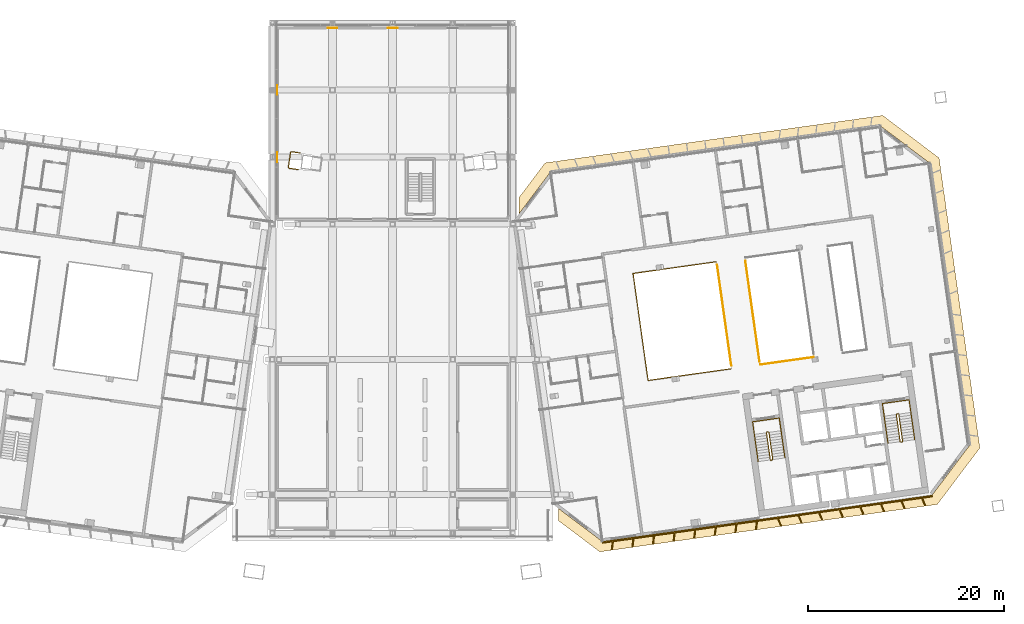
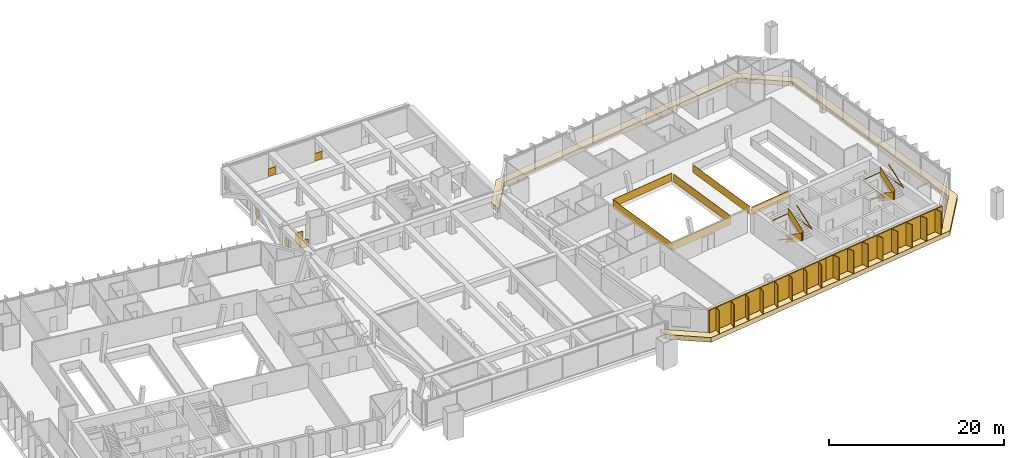
# One storey, part 24 of 25: 13 railings, 2 shading devices, 1 covering.
"""IFC4 building model written with IfcOpenShell, lengths in metres."""

from ifc_helpers import new_model, si_unit, direction, frame, origin, origin_2d, place, context, subcontext, project, spatial, polyline, rectangle, outline, extrude, material, layer, layer_set, type_object, element, save


model = new_model("IFC4")

# Units and contexts
model_context = context("Model", 3, precision=1e-05, world=origin(), true_north=direction((0.0, 1.0)))
body_context = subcontext(model_context, "Body", "Model", "MODEL_VIEW")
ifc_project = project(units=[si_unit("LENGTHUNIT", "METRE"), si_unit("AREAUNIT", "SQUARE_METRE"), si_unit("VOLUMEUNIT", "CUBIC_METRE"), si_unit("PLANEANGLEUNIT", "RADIAN"), si_unit("MASSUNIT", "GRAM", prefix="KILO")], contexts=[model_context])

# Site, building, storey
site_placement = place(None, origin())
site = spatial("IfcSite", under=ifc_project, at=site_placement, CompositionType="ELEMENT")
building_placement = place(site_placement, origin())
building = spatial("IfcBuilding", under=site, at=building_placement, Name="Mirante Cascada Hotel Towers", CompositionType="ELEMENT")
storey_placement = place(building_placement, frame((0.0, 0.0, 266.0)))
storey = spatial("IfcBuildingStorey", under=building, at=storey_placement, Name="L64", CompositionType="ELEMENT", Elevation=266.0)

# Railings
ifc_material_1 = material(Name="Toughened glass with stainless steel handrail", Category="steel")
railing_type_1 = type_object("IfcRailingType", Name="Atrium guard 1100 glass balustrade", PredefinedType="GUARDRAIL", material=ifc_material_1)
railing_1_placement = place(storey_placement, frame((32.9602, 6.0907, 0.0)))
element("IfcRailing", 1, at=railing_1_placement, inside=storey, type_object=railing_type_1, Name="GUARD 2-L64-1", PredefinedType="GUARDRAIL", context=body_context, shape_type="SweptSolid", body=[
    extrude(rectangle(XDim=0.048, YDim=0.048, at=origin_2d()), frame((0.0, 0.0, 1.076), z_axis=(-0.990269, -0.1391666, 0.0), x_axis=(0.1391666, -0.990269, 0.0)), (0.0, 0.0, 1.0), 8.5574),
    extrude(rectangle(XDim=0.02, YDim=1.052, at=origin_2d()), frame((0.0, 0.0, 0.526), z_axis=(-0.990269, -0.1391666, 0.0), x_axis=(0.1391666, -0.990269, 0.0)), (0.0, 0.0, 1.0), 8.5574),
    extrude(rectangle(XDim=0.048, YDim=0.048, at=origin_2d()), frame((-8.4741, -1.1909, 1.076), z_axis=(0.1391721, -0.9902682, 0.0), x_axis=(0.9902682, 0.1391721, 0.0)), (0.0, 0.0, 1.0), 11.0001),
    extrude(rectangle(XDim=0.02, YDim=1.052, at=origin_2d()), frame((-8.4741, -1.1909, 0.526), z_axis=(0.1391721, -0.9902682, 0.0), x_axis=(0.9902682, 0.1391721, 0.0)), (0.0, 0.0, 1.0), 11.0001),
    extrude(rectangle(XDim=0.048, YDim=0.048, at=origin_2d()), frame((-6.9432, -12.0839, 1.076), z_axis=(0.9902674, 0.139178, 0.0), x_axis=(-0.139178, 0.9902674, 0.0)), (0.0, 0.0, 1.0), 8.5574),
    extrude(rectangle(XDim=0.02, YDim=1.052, at=origin_2d()), frame((-6.9432, -12.0839, 0.526), z_axis=(0.9902674, 0.139178, 0.0), x_axis=(-0.139178, 0.9902674, 0.0)), (0.0, 0.0, 1.0), 8.5574),
])
railing_2_placement = place(storey_placement, frame((37.4619, -4.3847, 0.0)))
element("IfcRailing", 2, at=railing_2_placement, inside=storey, type_object=railing_type_1, Name="GUARD 2-L64-2", PredefinedType="GUARDRAIL", context=body_context, shape_type="SweptSolid", body=[
    extrude(rectangle(XDim=0.048, YDim=0.048, at=origin_2d()), frame((0.0, 0.0, 1.076), z_axis=(0.9902697, 0.1391616, 0.0), x_axis=(-0.1391616, 0.9902697, 0.0)), (0.0, 0.0, 1.0), 5.4713),
    extrude(rectangle(XDim=0.02, YDim=1.052, at=origin_2d()), frame((0.0, 0.0, 0.526), z_axis=(0.9902697, 0.1391616, 0.0), x_axis=(-0.1391616, 0.9902697, 0.0)), (0.0, 0.0, 1.0), 5.4713),
])
railing_3_placement = place(storey_placement, frame((34.4985, -4.5026, 0.0)))
element("IfcRailing", 3, at=railing_3_placement, inside=storey, type_object=railing_type_1, Name="GUARD 2-L64-5", PredefinedType="GUARDRAIL", context=body_context, shape_type="SweptSolid", body=[
    extrude(rectangle(XDim=0.048, YDim=0.048, at=origin_2d()), frame((0.0, 0.0, 1.076), z_axis=(-0.1391721, 0.9902682, 0.0), x_axis=(-0.9902682, -0.1391721, 0.0)), (0.0, 0.0, 1.0), 10.4087),
    extrude(rectangle(XDim=0.02, YDim=1.052, at=origin_2d()), frame((0.0, 0.0, 0.526), z_axis=(-0.1391721, 0.9902682, 0.0), x_axis=(-0.9902682, -0.1391721, 0.0)), (0.0, 0.0, 1.0), 10.4087),
])
railing_4_placement = place(storey_placement, frame((35.9236, 6.2086, 0.0)))
element("IfcRailing", 4, at=railing_4_placement, inside=storey, type_object=railing_type_1, Name="GUARD 2-L64-6", PredefinedType="GUARDRAIL", context=body_context, shape_type="SweptSolid", body=[
    extrude(rectangle(XDim=0.048, YDim=0.048, at=origin_2d()), frame((0.0, 0.0, 1.076), z_axis=(0.1391721, -0.9902682, 0.0), x_axis=(0.9902682, 0.1391721, 0.0)), (0.0, 0.0, 1.0), 10.4087),
    extrude(rectangle(XDim=0.02, YDim=1.052, at=origin_2d()), frame((0.0, 0.0, 0.526), z_axis=(0.1391721, -0.9902682, 0.0), x_axis=(0.9902682, 0.1391721, 0.0)), (0.0, 0.0, 1.0), 10.4087),
])
ifc_material_2 = material(Name="Toughened glass", Category="glass")
railing_type_2 = type_object("IfcRailingType", Name="Deck column opening guard 1100 glass balustrade", PredefinedType="GUARDRAIL", material=ifc_material_2)
railing_5_placement = place(storey_placement, frame((-9.3912, 17.1683, 0.0)))
element("IfcRailing", 5, at=railing_5_placement, inside=storey, type_object=railing_type_2, Name="Column opening guard L64 1", PredefinedType="GUARDRAIL", context=body_context, shape_type="SweptSolid", body=[
    extrude(rectangle(XDim=0.048, YDim=0.048, at=origin_2d()), frame((0.0, 0.0, 1.076), z_axis=(-0.9902531, 0.1392799, 0.0), x_axis=(-0.1392799, -0.9902531, 0.0)), (0.0, 0.0, 1.0), 0.8565),
    extrude(rectangle(XDim=0.02, YDim=1.052, at=origin_2d()), frame((0.0, 0.0, 0.526), z_axis=(-0.9902531, 0.1392799, 0.0), x_axis=(-0.1392799, -0.9902531, 0.0)), (0.0, 0.0, 1.0), 0.8565),
    extrude(rectangle(XDim=0.048, YDim=0.048, at=origin_2d()), frame((-0.8482, 0.1193, 1.076), z_axis=(-0.9960142, 0.0891953, 0.0), x_axis=(-0.0891953, -0.9960142, 0.0)), (0.0, 0.0, 1.0), 0.0135),
    extrude(rectangle(XDim=0.02, YDim=1.052, at=origin_2d()), frame((-0.8482, 0.1193, 0.526), z_axis=(-0.9960142, 0.0891953, 0.0), x_axis=(-0.0891953, -0.9960142, 0.0)), (0.0, 0.0, 1.0), 0.0135),
    extrude(rectangle(XDim=0.048, YDim=0.048, at=origin_2d()), frame((-0.8616, 0.1205, 1.076), z_axis=(-0.9999772, -0.0067566, 0.0), x_axis=(0.0067566, -0.9999772, 0.0)), (0.0, 0.0, 1.0), 0.0148),
    extrude(rectangle(XDim=0.02, YDim=1.052, at=origin_2d()), frame((-0.8616, 0.1205, 0.526), z_axis=(-0.9999772, -0.0067566, 0.0), x_axis=(0.0067566, -0.9999772, 0.0)), (0.0, 0.0, 1.0), 0.0148),
    extrude(rectangle(XDim=0.048, YDim=0.048, at=origin_2d()), frame((-0.8764, 0.1204, 1.076), z_axis=(-0.9940487, -0.1089368, 0.0), x_axis=(0.1089368, -0.9940487, 0.0)), (0.0, 0.0, 1.0), 0.0147),
    extrude(rectangle(XDim=0.02, YDim=1.052, at=origin_2d()), frame((-0.8764, 0.1204, 0.526), z_axis=(-0.9940487, -0.1089368, 0.0), x_axis=(0.1089368, -0.9940487, 0.0)), (0.0, 0.0, 1.0), 0.0147),
    extrude(rectangle(XDim=0.048, YDim=0.048, at=origin_2d()), frame((-0.891, 0.1188, 1.076), z_axis=(-0.9789804, -0.2039543, 0.0), x_axis=(0.2039543, -0.9789804, 0.0)), (0.0, 0.0, 1.0), 0.0147),
    extrude(rectangle(XDim=0.02, YDim=1.052, at=origin_2d()), frame((-0.891, 0.1188, 0.526), z_axis=(-0.9789804, -0.2039543, 0.0), x_axis=(0.2039543, -0.9789804, 0.0)), (0.0, 0.0, 1.0), 0.0147),
    extrude(rectangle(XDim=0.048, YDim=0.048, at=origin_2d()), frame((-0.9054, 0.1158, 1.076), z_axis=(-0.9546004, -0.2978895, 0.0), x_axis=(0.2978895, -0.9546004, 0.0)), (0.0, 0.0, 1.0), 0.0148),
    extrude(rectangle(XDim=0.02, YDim=1.052, at=origin_2d()), frame((-0.9054, 0.1158, 0.526), z_axis=(-0.9546004, -0.2978895, 0.0), x_axis=(0.2978895, -0.9546004, 0.0)), (0.0, 0.0, 1.0), 0.0148),
    extrude(rectangle(XDim=0.048, YDim=0.048, at=origin_2d()), frame((-0.9195, 0.1114, 1.076), z_axis=(-0.9212496, -0.388972, 0.0), x_axis=(0.388972, -0.9212496, 0.0)), (0.0, 0.0, 1.0), 0.0147),
    extrude(rectangle(XDim=0.02, YDim=1.052, at=origin_2d()), frame((-0.9195, 0.1114, 0.526), z_axis=(-0.9212496, -0.388972, 0.0), x_axis=(0.388972, -0.9212496, 0.0)), (0.0, 0.0, 1.0), 0.0147),
    extrude(rectangle(XDim=0.048, YDim=0.048, at=origin_2d()), frame((-0.933, 0.1057, 1.076), z_axis=(-0.8804711, -0.4740998, 0.0), x_axis=(0.4740998, -0.8804711, 0.0)), (0.0, 0.0, 1.0), 0.0148),
    extrude(rectangle(XDim=0.02, YDim=1.052, at=origin_2d()), frame((-0.933, 0.1057, 0.526), z_axis=(-0.8804711, -0.4740998, 0.0), x_axis=(0.4740998, -0.8804711, 0.0)), (0.0, 0.0, 1.0), 0.0148),
    extrude(rectangle(XDim=0.048, YDim=0.048, at=origin_2d()), frame((-0.946, 0.0987, 1.076), z_axis=(-0.8268004, -0.5624954, 0.0), x_axis=(0.5624954, -0.8268004, 0.0)), (0.0, 0.0, 1.0), 0.0148),
    extrude(rectangle(XDim=0.02, YDim=1.052, at=origin_2d()), frame((-0.946, 0.0987, 0.526), z_axis=(-0.8268004, -0.5624954, 0.0), x_axis=(0.5624954, -0.8268004, 0.0)), (0.0, 0.0, 1.0), 0.0148),
    extrude(rectangle(XDim=0.048, YDim=0.048, at=origin_2d()), frame((-0.9582, 0.0904, 1.076), z_axis=(-0.7687786, -0.639515, 0.0), x_axis=(0.639515, -0.7687786, 0.0)), (0.0, 0.0, 1.0), 0.0147),
    extrude(rectangle(XDim=0.02, YDim=1.052, at=origin_2d()), frame((-0.9582, 0.0904, 0.526), z_axis=(-0.7687786, -0.639515, 0.0), x_axis=(0.639515, -0.7687786, 0.0)), (0.0, 0.0, 1.0), 0.0147),
    extrude(rectangle(XDim=0.048, YDim=0.048, at=origin_2d()), frame((-0.9695, 0.081, 1.076), z_axis=(-0.7002753, -0.7138729, 0.0), x_axis=(0.7138729, -0.7002753, 0.0)), (0.0, 0.0, 1.0), 0.0147),
    extrude(rectangle(XDim=0.02, YDim=1.052, at=origin_2d()), frame((-0.9695, 0.081, 0.526), z_axis=(-0.7002753, -0.7138729, 0.0), x_axis=(0.7138729, -0.7002753, 0.0)), (0.0, 0.0, 1.0), 0.0147),
    extrude(rectangle(XDim=0.048, YDim=0.048, at=origin_2d()), frame((-0.9798, 0.0705, 1.076), z_axis=(-0.6288091, -0.7775597, 0.0), x_axis=(0.7775597, -0.6288091, 0.0)), (0.0, 0.0, 1.0), 0.0148),
    extrude(rectangle(XDim=0.02, YDim=1.052, at=origin_2d()), frame((-0.9798, 0.0705, 0.526), z_axis=(-0.6288091, -0.7775597, 0.0), x_axis=(0.7775597, -0.6288091, 0.0)), (0.0, 0.0, 1.0), 0.0148),
    extrude(rectangle(XDim=0.048, YDim=0.048, at=origin_2d()), frame((-0.9891, 0.059, 1.076), z_axis=(-0.5499906, -0.8351709, 0.0), x_axis=(0.8351709, -0.5499906, 0.0)), (0.0, 0.0, 1.0), 0.0147),
    extrude(rectangle(XDim=0.02, YDim=1.052, at=origin_2d()), frame((-0.9891, 0.059, 0.526), z_axis=(-0.5499906, -0.8351709, 0.0), x_axis=(0.8351709, -0.5499906, 0.0)), (0.0, 0.0, 1.0), 0.0147),
    extrude(rectangle(XDim=0.048, YDim=0.048, at=origin_2d()), frame((-0.9972, 0.0467, 1.076), z_axis=(-0.4634975, -0.8860982, 0.0), x_axis=(0.8860982, -0.4634975, 0.0)), (0.0, 0.0, 1.0), 0.0147),
    extrude(rectangle(XDim=0.02, YDim=1.052, at=origin_2d()), frame((-0.9972, 0.0467, 0.526), z_axis=(-0.4634975, -0.8860982, 0.0), x_axis=(0.8860982, -0.4634975, 0.0)), (0.0, 0.0, 1.0), 0.0147),
    extrude(rectangle(XDim=0.048, YDim=0.048, at=origin_2d()), frame((-1.004, 0.0337, 1.076), z_axis=(-0.3725583, -0.9280088, 0.0), x_axis=(0.9280088, -0.3725583, 0.0)), (0.0, 0.0, 1.0), 0.0148),
    extrude(rectangle(XDim=0.02, YDim=1.052, at=origin_2d()), frame((-1.004, 0.0337, 0.526), z_axis=(-0.3725583, -0.9280088, 0.0), x_axis=(0.9280088, -0.3725583, 0.0)), (0.0, 0.0, 1.0), 0.0148),
    extrude(rectangle(XDim=0.048, YDim=0.048, at=origin_2d()), frame((-1.0095, 0.02, 1.076), z_axis=(-0.2854766, -0.9583857, 0.0), x_axis=(0.9583857, -0.2854766, 0.0)), (0.0, 0.0, 1.0), 0.0147),
    extrude(rectangle(XDim=0.02, YDim=1.052, at=origin_2d()), frame((-1.0095, 0.02, 0.526), z_axis=(-0.2854766, -0.9583857, 0.0), x_axis=(0.9583857, -0.2854766, 0.0)), (0.0, 0.0, 1.0), 0.0147),
    extrude(rectangle(XDim=0.048, YDim=0.048, at=origin_2d()), frame((-1.0137, 0.0059, 1.076), z_axis=(-0.1847347, -0.9827884, 0.0), x_axis=(0.9827884, -0.1847347, 0.0)), (0.0, 0.0, 1.0), 0.0135),
    extrude(rectangle(XDim=0.02, YDim=1.052, at=origin_2d()), frame((-1.0137, 0.0059, 0.526), z_axis=(-0.1847347, -0.9827884, 0.0), x_axis=(0.9827884, -0.1847347, 0.0)), (0.0, 0.0, 1.0), 0.0135),
    extrude(rectangle(XDim=0.048, YDim=0.048, at=origin_2d()), frame((-1.0162, -0.0074, 1.076), z_axis=(-0.1391849, -0.9902664, 0.0), x_axis=(0.9902664, -0.1391849, 0.0)), (0.0, 0.0, 1.0), 1.4025),
    extrude(rectangle(XDim=0.02, YDim=1.052, at=origin_2d()), frame((-1.0162, -0.0074, 0.526), z_axis=(-0.1391849, -0.9902664, 0.0), x_axis=(0.9902664, -0.1391849, 0.0)), (0.0, 0.0, 1.0), 1.4025),
    extrude(rectangle(XDim=0.048, YDim=0.048, at=origin_2d()), frame((-1.2114, -1.3962, 1.076), z_axis=(-0.0891953, -0.9960142, 0.0), x_axis=(0.9960142, -0.0891953, 0.0)), (0.0, 0.0, 1.0), 0.0135),
    extrude(rectangle(XDim=0.02, YDim=1.052, at=origin_2d()), frame((-1.2114, -1.3962, 0.526), z_axis=(-0.0891953, -0.9960142, 0.0), x_axis=(0.9960142, -0.0891953, 0.0)), (0.0, 0.0, 1.0), 0.0135),
    extrude(rectangle(XDim=0.048, YDim=0.048, at=origin_2d()), frame((-1.2126, -1.4096, 1.076), z_axis=(0.0068026, -0.9999769, 0.0), x_axis=(0.9999769, 0.0068026, 0.0)), (0.0, 0.0, 1.0), 0.0147),
    extrude(rectangle(XDim=0.02, YDim=1.052, at=origin_2d()), frame((-1.2126, -1.4096, 0.526), z_axis=(0.0068026, -0.9999769, 0.0), x_axis=(0.9999769, 0.0068026, 0.0)), (0.0, 0.0, 1.0), 0.0147),
    extrude(rectangle(XDim=0.048, YDim=0.048, at=origin_2d()), frame((-1.2125, -1.4243, 1.076), z_axis=(0.1015137, -0.9948341, 0.0), x_axis=(0.9948341, 0.1015137, 0.0)), (0.0, 0.0, 1.0), 0.0148),
    extrude(rectangle(XDim=0.02, YDim=1.052, at=origin_2d()), frame((-1.2125, -1.4243, 0.526), z_axis=(0.1015137, -0.9948341, 0.0), x_axis=(0.9948341, 0.1015137, 0.0)), (0.0, 0.0, 1.0), 0.0148),
    extrude(rectangle(XDim=0.048, YDim=0.048, at=origin_2d()), frame((-1.211, -1.439, 1.076), z_axis=(0.2039543, -0.9789804, 0.0), x_axis=(0.9789804, 0.2039543, 0.0)), (0.0, 0.0, 1.0), 0.0147),
    extrude(rectangle(XDim=0.02, YDim=1.052, at=origin_2d()), frame((-1.211, -1.439, 0.526), z_axis=(0.2039543, -0.9789804, 0.0), x_axis=(0.9789804, 0.2039543, 0.0)), (0.0, 0.0, 1.0), 0.0147),
    extrude(rectangle(XDim=0.048, YDim=0.048, at=origin_2d()), frame((-1.208, -1.4534, 1.076), z_axis=(0.2978895, -0.9546004, 0.0), x_axis=(0.9546004, 0.2978895, 0.0)), (0.0, 0.0, 1.0), 0.0148),
    extrude(rectangle(XDim=0.02, YDim=1.052, at=origin_2d()), frame((-1.208, -1.4534, 0.526), z_axis=(0.2978895, -0.9546004, 0.0), x_axis=(0.9546004, 0.2978895, 0.0)), (0.0, 0.0, 1.0), 0.0148),
    extrude(rectangle(XDim=0.048, YDim=0.048, at=origin_2d()), frame((-1.2036, -1.4675, 1.076), z_axis=(0.388972, -0.9212496, 0.0), x_axis=(0.9212496, 0.388972, 0.0)), (0.0, 0.0, 1.0), 0.0147),
    extrude(rectangle(XDim=0.02, YDim=1.052, at=origin_2d()), frame((-1.2036, -1.4675, 0.526), z_axis=(0.388972, -0.9212496, 0.0), x_axis=(0.9212496, 0.388972, 0.0)), (0.0, 0.0, 1.0), 0.0147),
    extrude(rectangle(XDim=0.048, YDim=0.048, at=origin_2d()), frame((-1.1979, -1.481, 1.076), z_axis=(0.4793251, -0.8776374, 0.0), x_axis=(0.8776374, 0.4793251, 0.0)), (0.0, 0.0, 1.0), 0.0148),
    extrude(rectangle(XDim=0.02, YDim=1.052, at=origin_2d()), frame((-1.1979, -1.481, 0.526), z_axis=(0.4793251, -0.8776374, 0.0), x_axis=(0.8776374, 0.4793251, 0.0)), (0.0, 0.0, 1.0), 0.0148),
    extrude(rectangle(XDim=0.048, YDim=0.048, at=origin_2d()), frame((-1.1908, -1.494, 1.076), z_axis=(0.5656608, -0.824638, 0.0), x_axis=(0.824638, 0.5656608, 0.0)), (0.0, 0.0, 1.0), 0.0147),
    extrude(rectangle(XDim=0.02, YDim=1.052, at=origin_2d()), frame((-1.1908, -1.494, 0.526), z_axis=(0.5656608, -0.824638, 0.0), x_axis=(0.824638, 0.5656608, 0.0)), (0.0, 0.0, 1.0), 0.0147),
    extrude(rectangle(XDim=0.048, YDim=0.048, at=origin_2d()), frame((-1.1825, -1.5061, 1.076), z_axis=(0.639515, -0.7687786, 0.0), x_axis=(0.7687786, 0.639515, 0.0)), (0.0, 0.0, 1.0), 0.0147),
    extrude(rectangle(XDim=0.02, YDim=1.052, at=origin_2d()), frame((-1.1825, -1.5061, 0.526), z_axis=(0.639515, -0.7687786, 0.0), x_axis=(0.7687786, 0.639515, 0.0)), (0.0, 0.0, 1.0), 0.0147),
    extrude(rectangle(XDim=0.048, YDim=0.048, at=origin_2d()), frame((-1.1731, -1.5174, 1.076), z_axis=(0.7104819, -0.7037154, 0.0), x_axis=(0.7037154, 0.7104819, 0.0)), (0.0, 0.0, 1.0), 0.0148),
    extrude(rectangle(XDim=0.02, YDim=1.052, at=origin_2d()), frame((-1.1731, -1.5174, 0.526), z_axis=(0.7104819, -0.7037154, 0.0), x_axis=(0.7037154, 0.7104819, 0.0)), (0.0, 0.0, 1.0), 0.0148),
    extrude(rectangle(XDim=0.048, YDim=0.048, at=origin_2d()), frame((-1.1626, -1.5278, 1.076), z_axis=(0.7781978, -0.6280193, 0.0), x_axis=(0.6280193, 0.7781978, 0.0)), (0.0, 0.0, 1.0), 0.0146),
    extrude(rectangle(XDim=0.02, YDim=1.052, at=origin_2d()), frame((-1.1626, -1.5278, 0.526), z_axis=(0.7781978, -0.6280193, 0.0), x_axis=(0.6280193, 0.7781978, 0.0)), (0.0, 0.0, 1.0), 0.0146),
    extrude(rectangle(XDim=0.048, YDim=0.048, at=origin_2d()), frame((-1.1512, -1.537, 1.076), z_axis=(0.8351709, -0.5499906, 0.0), x_axis=(0.5499906, 0.8351709, 0.0)), (0.0, 0.0, 1.0), 0.0147),
    extrude(rectangle(XDim=0.02, YDim=1.052, at=origin_2d()), frame((-1.1512, -1.537, 0.526), z_axis=(0.8351709, -0.5499906, 0.0), x_axis=(0.5499906, 0.8351709, 0.0)), (0.0, 0.0, 1.0), 0.0147),
    extrude(rectangle(XDim=0.048, YDim=0.048, at=origin_2d()), frame((-1.1389, -1.5451, 1.076), z_axis=(0.8847717, -0.4660248, 0.0), x_axis=(0.4660248, 0.8847717, 0.0)), (0.0, 0.0, 1.0), 0.0148),
    extrude(rectangle(XDim=0.02, YDim=1.052, at=origin_2d()), frame((-1.1389, -1.5451, 0.526), z_axis=(0.8847717, -0.4660248, 0.0), x_axis=(0.4660248, 0.8847717, 0.0)), (0.0, 0.0, 1.0), 0.0148),
    extrude(rectangle(XDim=0.048, YDim=0.048, at=origin_2d()), frame((-1.1258, -1.552, 1.076), z_axis=(0.9270597, -0.3749138, 0.0), x_axis=(0.3749138, 0.9270597, 0.0)), (0.0, 0.0, 1.0), 0.0147),
    extrude(rectangle(XDim=0.02, YDim=1.052, at=origin_2d()), frame((-1.1258, -1.552, 0.526), z_axis=(0.9270597, -0.3749138, 0.0), x_axis=(0.3749138, 0.9270597, 0.0)), (0.0, 0.0, 1.0), 0.0147),
    extrude(rectangle(XDim=0.048, YDim=0.048, at=origin_2d()), frame((-1.1122, -1.5575, 1.076), z_axis=(0.9589343, -0.2836284, 0.0), x_axis=(0.2836284, 0.9589343, 0.0)), (0.0, 0.0, 1.0), 0.0148),
    extrude(rectangle(XDim=0.02, YDim=1.052, at=origin_2d()), frame((-1.1122, -1.5575, 0.526), z_axis=(0.9589343, -0.2836284, 0.0), x_axis=(0.2836284, 0.9589343, 0.0)), (0.0, 0.0, 1.0), 0.0148),
    extrude(rectangle(XDim=0.048, YDim=0.048, at=origin_2d()), frame((-1.098, -1.5617, 1.076), z_axis=(0.9825335, -0.1860859, 0.0), x_axis=(0.1860859, 0.9825335, 0.0)), (0.0, 0.0, 1.0), 0.0134),
    extrude(rectangle(XDim=0.02, YDim=1.052, at=origin_2d()), frame((-1.098, -1.5617, 0.526), z_axis=(0.9825335, -0.1860859, 0.0), x_axis=(0.1860859, 0.9825335, 0.0)), (0.0, 0.0, 1.0), 0.0134),
    extrude(rectangle(XDim=0.048, YDim=0.048, at=origin_2d()), frame((-1.0848, -1.5642, 1.076), z_axis=(0.9902714, -0.1391493, 0.0), x_axis=(0.1391493, 0.9902714, 0.0)), (0.0, 0.0, 1.0), 0.8566),
    extrude(rectangle(XDim=0.02, YDim=1.052, at=origin_2d()), frame((-1.0848, -1.5642, 0.526), z_axis=(0.9902714, -0.1391493, 0.0), x_axis=(0.1391493, 0.9902714, 0.0)), (0.0, 0.0, 1.0), 0.8566),
])

# Covering
ifc_material_3 = material(Name="Precast concrete C40/50 white", Category="concrete")
ifc_layer = layer(ifc_material_3, 0.6)
ifc_layer_set = layer_set([ifc_layer], Name="Precast concrete SUNSHADE band 1000x600")
covering_type = type_object("IfcCoveringType", Name="Precast concrete SUNSHADE band 1000x600", PredefinedType="CLADDING", material=ifc_layer_set)
covering_placement = place(storey_placement, frame((0.0, 0.0, -0.5)))
element("IfcCovering", 6, at=covering_placement, inside=storey, type_object=covering_type, Name="Precast concrete SUNSHADE band T2 L64", PredefinedType="CLADDING", context=body_context, shape_type="SweptSolid", body=[
    extrude(outline(polyline([(49.9078, 20.9944), (55.6518, 16.6659), (59.8032, -12.8722), (55.4747, -18.6163), (21.0989, -23.4475), (16.8874, -20.2739), (16.8874, -19.0218), (21.3699, -22.3996), (54.9253, -17.6837), (58.7552, -12.6012), (54.7192, 16.1166), (49.6367, 19.9465), (16.0813, 15.2306), (12.8514, 10.9443), (12.8514, 12.606), (15.5319, 16.1632), (49.9078, 20.9944)])), origin(), (0.0, 0.0, 1.0), 0.65),
])

# Railings
ifc_material_4 = material(Name="Painted steel", Category="steel")
railing_type_3 = type_object("IfcRailingType", Name="Stair guard 1100 steel balustrade", PredefinedType="GUARDRAIL", material=ifc_material_4)
railing_6_placement = place(storey_placement, frame((38.2663, -11.2395, 0.0)))
element("IfcRailing", 7, at=railing_6_placement, inside=storey, type_object=railing_type_3, Name="L64 ST2-A stair guard 1", PredefinedType="GUARDRAIL", context=body_context, shape_type="SweptSolid", body=[
    extrude(rectangle(XDim=0.048, YDim=0.048, at=origin_2d()), frame((0.0, 0.0, 1.076), z_axis=(-0.9903326, -0.1387133, 0.0), x_axis=(0.1387133, -0.9903326, 0.0)), (0.0, 0.0, 1.0), 0.1499),
    extrude(rectangle(XDim=0.02, YDim=1.052, at=origin_2d()), frame((0.0, 0.0, 0.526), z_axis=(-0.9903326, -0.1387133, 0.0), x_axis=(0.1387133, -0.9903326, 0.0)), (0.0, 0.0, 1.0), 0.1499),
    extrude(rectangle(XDim=0.048, YDim=0.048, at=origin_2d()), frame((-0.1485, -0.0208, 1.076), z_axis=(-0.6020331, -0.7984711, 0.0), x_axis=(0.7984711, -0.6020331, 0.0)), (0.0, 0.9253398, 0.3791387), 0.1866),
    extrude(rectangle(XDim=0.02, YDim=1.052, at=origin_2d()), frame((-0.1485, -0.0208, 0.526), z_axis=(-0.6020331, -0.7984711, 0.0), x_axis=(0.7984711, -0.6020331, 0.0)), (0.0, 0.9253398, 0.3791387), 0.1866),
    extrude(rectangle(XDim=0.048, YDim=0.048, at=origin_2d()), frame((-0.1911, -0.0773, 1.2487), z_axis=(0.139176, -0.9902677, 0.0), x_axis=(0.9902677, 0.139176, 0.0)), (0.0, 0.5250212, 0.8510891), 3.29),
    extrude(rectangle(XDim=0.02, YDim=1.052, at=origin_2d()), frame((-0.1911, -0.0773, 0.6987), z_axis=(0.139176, -0.9902677, 0.0), x_axis=(0.9902677, 0.139176, 0.0)), (0.0, 0.5250212, 0.8510891), 3.29),
    extrude(rectangle(XDim=0.048, YDim=0.048, at=origin_2d()), frame((0.1986, -2.8501, 2.976), z_axis=(0.9944948, -0.1047858, 0.0), x_axis=(0.1047858, 0.9944948, 0.0)), (0.0, 0.0, 1.0), 0.2061),
    extrude(rectangle(XDim=0.02, YDim=1.052, at=origin_2d()), frame((0.1986, -2.8501, 2.426), z_axis=(0.9944948, -0.1047858, 0.0), x_axis=(0.1047858, 0.9944948, 0.0)), (0.0, 0.0, 1.0), 0.2061),
    extrude(rectangle(XDim=0.048, YDim=0.048, at=origin_2d()), frame((0.4036, -2.8717, 2.976), z_axis=(-0.9902408, -0.1393672, 0.0), x_axis=(0.1393672, -0.9902408, 0.0)), (0.0, 0.0, 1.0), 0.15),
    extrude(rectangle(XDim=0.02, YDim=1.052, at=origin_2d()), frame((0.4036, -2.8717, 2.426), z_axis=(-0.9902408, -0.1393672, 0.0), x_axis=(0.1393672, -0.9902408, 0.0)), (0.0, 0.0, 1.0), 0.15),
    extrude(rectangle(XDim=0.048, YDim=0.048, at=origin_2d()), frame((0.2551, -2.8926, 2.976), z_axis=(0.9270311, 0.3749843, 0.0), x_axis=(-0.3749843, 0.9270311, 0.0)), (0.0, 0.6421903, 0.7665452), 0.2689),
    extrude(rectangle(XDim=0.02, YDim=1.052, at=origin_2d()), frame((0.2551, -2.8926, 2.426), z_axis=(0.9270311, 0.3749843, 0.0), x_axis=(-0.3749843, 0.9270311, 0.0)), (0.0, 0.6421903, 0.7665452), 0.2689),
    extrude(rectangle(XDim=0.048, YDim=0.048, at=origin_2d()), frame((0.4462, -2.8153, 3.1487), z_axis=(-0.139176, 0.9902677, 0.0), x_axis=(-0.9902677, -0.139176, 0.0)), (0.0, 0.5250212, 0.8510891), 3.29),
    extrude(rectangle(XDim=0.02, YDim=1.052, at=origin_2d()), frame((0.4462, -2.8153, 2.5987), z_axis=(-0.139176, 0.9902677, 0.0), x_axis=(-0.9902677, -0.139176, 0.0)), (0.0, 0.5250212, 0.8510891), 3.29),
])
railing_7_placement = place(storey_placement, frame((51.4864, -9.3815, 0.0)))
element("IfcRailing", 8, at=railing_7_placement, inside=storey, type_object=railing_type_3, Name="L64 ST2-B stair guard 1", PredefinedType="GUARDRAIL", context=body_context, shape_type="SweptSolid", body=[
    extrude(rectangle(XDim=0.048, YDim=0.048, at=origin_2d()), frame((0.0, 0.0, 1.076), z_axis=(-0.9902408, -0.1393672, 0.0), x_axis=(0.1393672, -0.9902408, 0.0)), (0.0, 0.0, 1.0), 0.15),
    extrude(rectangle(XDim=0.02, YDim=1.052, at=origin_2d()), frame((0.0, 0.0, 0.526), z_axis=(-0.9902408, -0.1393672, 0.0), x_axis=(0.1393672, -0.9902408, 0.0)), (0.0, 0.0, 1.0), 0.15),
    extrude(rectangle(XDim=0.048, YDim=0.048, at=origin_2d()), frame((-0.1485, -0.0209, 1.076), z_axis=(-0.6020331, -0.7984711, 0.0), x_axis=(0.7984711, -0.6020331, 0.0)), (0.0, 0.9253398, 0.3791387), 0.1866),
    extrude(rectangle(XDim=0.02, YDim=1.052, at=origin_2d()), frame((-0.1485, -0.0209, 0.526), z_axis=(-0.6020331, -0.7984711, 0.0), x_axis=(0.7984711, -0.6020331, 0.0)), (0.0, 0.9253398, 0.3791387), 0.1866),
    extrude(rectangle(XDim=0.048, YDim=0.048, at=origin_2d()), frame((-0.1911, -0.0774, 1.2487), z_axis=(0.139181, -0.990267, 0.0), x_axis=(0.990267, 0.139181, 0.0)), (0.0, 0.5250347, 0.8510808), 3.2899),
    extrude(rectangle(XDim=0.02, YDim=1.052, at=origin_2d()), frame((-0.1911, -0.0774, 0.6987), z_axis=(0.139181, -0.990267, 0.0), x_axis=(0.990267, 0.139181, 0.0)), (0.0, 0.5250347, 0.8510808), 3.2899),
    extrude(rectangle(XDim=0.048, YDim=0.048, at=origin_2d()), frame((0.1986, -2.8501, 2.976), z_axis=(0.9944441, -0.1052656, 0.0), x_axis=(0.1052656, 0.9944441, 0.0)), (0.0, 0.0, 1.0), 0.2061),
    extrude(rectangle(XDim=0.02, YDim=1.052, at=origin_2d()), frame((0.1986, -2.8501, 2.426), z_axis=(0.9944441, -0.1052656, 0.0), x_axis=(0.1052656, 0.9944441, 0.0)), (0.0, 0.0, 1.0), 0.2061),
    extrude(rectangle(XDim=0.048, YDim=0.048, at=origin_2d()), frame((0.4036, -2.8718, 2.976), z_axis=(-0.9902408, -0.1393672, 0.0), x_axis=(0.1393672, -0.9902408, 0.0)), (0.0, 0.0, 1.0), 0.15),
    extrude(rectangle(XDim=0.02, YDim=1.052, at=origin_2d()), frame((0.4036, -2.8718, 2.426), z_axis=(-0.9902408, -0.1393672, 0.0), x_axis=(0.1393672, -0.9902408, 0.0)), (0.0, 0.0, 1.0), 0.15),
    extrude(rectangle(XDim=0.048, YDim=0.048, at=origin_2d()), frame((0.2551, -2.8927, 2.976), z_axis=(0.9268624, 0.3754011, 0.0), x_axis=(-0.3754011, 0.9268624, 0.0)), (0.0, 0.6421217, 0.7666028), 0.269),
    extrude(rectangle(XDim=0.02, YDim=1.052, at=origin_2d()), frame((0.2551, -2.8927, 2.426), z_axis=(0.9268624, 0.3754011, 0.0), x_axis=(-0.3754011, 0.9268624, 0.0)), (0.0, 0.6421217, 0.7666028), 0.269),
    extrude(rectangle(XDim=0.048, YDim=0.048, at=origin_2d()), frame((0.4462, -2.8153, 3.1487), z_axis=(-0.139181, 0.990267, 0.0), x_axis=(-0.990267, -0.139181, 0.0)), (0.0, 0.5250347, 0.8510808), 3.2899),
    extrude(rectangle(XDim=0.02, YDim=1.052, at=origin_2d()), frame((0.4462, -2.8153, 2.5987), z_axis=(-0.139181, 0.990267, 0.0), x_axis=(-0.990267, -0.139181, 0.0)), (0.0, 0.5250347, 0.8510808), 3.2899),
])
ifc_material_5 = material(Name="Painted steel", Category="steel")
railing_type_4 = type_object("IfcRailingType", Name="Stair handrail 900 steel tube", PredefinedType="HANDRAIL", material=ifc_material_5)
railing_8_placement = place(storey_placement, frame((36.8374, -11.4908, 0.1727)))
element("IfcRailing", 9, at=railing_8_placement, inside=storey, type_object=railing_type_4, Name="L64 ST2-A stair handrail 1", PredefinedType="HANDRAIL", context=body_context, shape_type="SweptSolid", body=[
    extrude(rectangle(XDim=0.048, YDim=0.048, at=origin_2d()), frame((0.0, 0.0, 0.876), z_axis=(0.139181, -0.990267, 0.0), x_axis=(0.990267, 0.139181, 0.0)), (0.0, 0.5250347, 0.8510808), 3.2899),
    extrude(rectangle(XDim=0.048, YDim=0.048, at=origin_2d()), frame((0.3897, -2.7727, 2.6033), z_axis=(-0.1391707, 0.9902684, 0.0), x_axis=(-0.9902684, -0.1391707, 0.0)), (0.0, 0.0420846, 0.999114), 4.1036),
    extrude(rectangle(XDim=0.048, YDim=0.048, at=origin_2d()), frame((-0.1809, 1.2874, 2.776), z_axis=(0.9902691, 0.1391657, 0.0), x_axis=(-0.1391657, 0.9902691, 0.0)), (0.0, 0.0, 1.0), 2.75),
    extrude(rectangle(XDim=0.048, YDim=0.048, at=origin_2d()), frame((2.5423, 1.6701, 2.776), z_axis=(0.1391707, -0.9902684, 0.0), x_axis=(0.9902684, 0.1391707, 0.0)), (0.0, 0.0, 1.0), 4.1),
    extrude(rectangle(XDim=0.048, YDim=0.048, at=origin_2d()), frame((3.1129, -2.39, 2.776), z_axis=(-0.139181, 0.990267, 0.0), x_axis=(-0.990267, -0.139181, 0.0)), (0.0, 0.5250347, 0.8510808), 3.2899),
])
railing_9_placement = place(storey_placement, frame((50.0575, -9.6328, 0.1727)))
element("IfcRailing", 10, at=railing_9_placement, inside=storey, type_object=railing_type_4, Name="L64 ST2-B stair handrail 1", PredefinedType="HANDRAIL", context=body_context, shape_type="SweptSolid", body=[
    extrude(rectangle(XDim=0.048, YDim=0.048, at=origin_2d()), frame((0.0, 0.0, 0.876), z_axis=(0.139176, -0.9902677, 0.0), x_axis=(0.9902677, 0.139176, 0.0)), (0.0, 0.5250212, 0.8510891), 3.29),
    extrude(rectangle(XDim=0.048, YDim=0.048, at=origin_2d()), frame((0.3897, -2.7728, 2.6033), z_axis=(-0.1391707, 0.9902684, 0.0), x_axis=(-0.9902684, -0.1391707, 0.0)), (0.0, 0.0420846, 0.999114), 4.1036),
    extrude(rectangle(XDim=0.048, YDim=0.048, at=origin_2d()), frame((-0.1809, 1.2873, 2.776), z_axis=(0.9902641, 0.1392013, 0.0), x_axis=(-0.1392013, 0.9902641, 0.0)), (0.0, 0.0, 1.0), 2.75),
    extrude(rectangle(XDim=0.048, YDim=0.048, at=origin_2d()), frame((2.5423, 1.6701, 2.776), z_axis=(0.1391707, -0.9902684, 0.0), x_axis=(0.9902684, 0.1391707, 0.0)), (0.0, 0.0, 1.0), 4.1),
    extrude(rectangle(XDim=0.048, YDim=0.048, at=origin_2d()), frame((3.1129, -2.39, 2.776), z_axis=(-0.139181, 0.990267, 0.0), x_axis=(-0.990267, -0.139181, 0.0)), (0.0, 0.5250347, 0.8510808), 3.2899),
])
ifc_material_6 = material(Name="Toughened glass", Category="glass")
railing_type_5 = type_object("IfcRailingType", Name="Truss bay glazed screen 1100", PredefinedType="GUARDRAIL", material=ifc_material_6)
for number, where, name in (
    (11, (-6.63, 29.91, 0.0), "Truss bay glazed screen L64 4"),
    (12, (-0.5, 29.91, 0.0), "Truss bay glazed screen L64 5"),
):
    element("IfcRailing", number, at=place(storey_placement, frame(where)), inside=storey, type_object=railing_type_5, Name=name, PredefinedType="GUARDRAIL", context=body_context, shape_type="SweptSolid", body=[
        extrude(rectangle(XDim=0.048, YDim=0.048, at=origin_2d()), frame((0.0, 0.0, 1.076), z_axis=(1.0, 0.0, 0.0), x_axis=(0.0, 1.0, 0.0)), (0.0, 0.0, 1.0), 1.0),
        extrude(rectangle(XDim=0.02, YDim=1.052, at=origin_2d()), frame((0.0, 0.0, 0.526), z_axis=(1.0, 0.0, 0.0), x_axis=(0.0, 1.0, 0.0)), (0.0, 0.0, 1.0), 1.0),
    ])
for number, where, name in (
    (13, (-11.75, 16.25, 0.0), "Truss bay glazed screen L64 7"),
    (14, (-11.75, 23.08, 0.0), "Truss bay glazed screen L64 8"),
):
    element("IfcRailing", number, at=place(storey_placement, frame(where)), inside=storey, type_object=railing_type_5, Name=name, PredefinedType="GUARDRAIL", context=body_context, shape_type="SweptSolid", body=[
        extrude(rectangle(XDim=0.048, YDim=0.048, at=origin_2d()), frame((0.0, 0.0, 1.076), z_axis=(0.0, 1.0, 0.0), x_axis=(-1.0, 0.0, 0.0)), (0.0, 0.0, 1.0), 1.0),
        extrude(rectangle(XDim=0.02, YDim=1.052, at=origin_2d()), frame((0.0, 0.0, 0.526), z_axis=(0.0, 1.0, 0.0), x_axis=(-1.0, 0.0, 0.0)), (0.0, 0.0, 1.0), 1.0),
    ])

# Shading devices
ifc_material_7 = material(Name="White precast concrete C50/60 fin", Category="concrete")
shading_device_type = type_object("IfcShadingDeviceType", Name="Vertical fin set 4500x900", PredefinedType="USERDEFINED", material=ifc_material_7)
shading_device_1_placement = place(storey_placement, origin())
element("IfcShadingDevice", 15, at=shading_device_1_placement, inside=storey, type_object=shading_device_type, Name="FIN T2 L64 rear 1", ObjectType="FIN", PredefinedType="USERDEFINED", context=body_context, shape_type="SweptSolid", body=[
    extrude(outline(polyline([(22.283, -23.2397), (22.3851, -22.4084), (21.3907, -22.5481), (21.3699, -22.3996), (38.1476, -20.0417), (38.1685, -20.1902), (37.1476, -20.3337), (37.0429, -21.1862), (36.9635, -21.1765), (37.0656, -20.3452), (35.0504, -20.6284), (34.9457, -21.481), (34.8663, -21.4712), (34.9684, -20.6399), (32.9532, -20.9232), (32.8485, -21.7757), (32.7691, -21.766), (32.8712, -20.9347), (30.856, -21.2179), (30.7513, -22.0705), (30.6719, -22.0607), (30.7739, -21.2294), (28.7587, -21.5126), (28.6541, -22.3652), (28.5747, -22.3554), (28.6767, -21.5242), (26.6615, -21.8074), (26.5568, -22.6599), (26.4774, -22.6502), (26.5795, -21.8189), (24.5643, -22.1021), (24.4596, -22.9547), (24.3802, -22.9449), (24.4823, -22.1137), (22.4671, -22.3969), (22.3624, -23.2494), (22.283, -23.2397)])), origin(), (0.0, 0.0, 1.0), 3.3),
])
shading_device_2_placement = place(storey_placement, origin())
element("IfcShadingDevice", 16, at=shading_device_2_placement, inside=storey, type_object=shading_device_type, Name="FIN T2 L64 rear 2", ObjectType="FIN", PredefinedType="USERDEFINED", context=body_context, shape_type="SweptSolid", body=[
    extrude(outline(polyline([(39.525, -20.8374), (39.1893, -20.0467), (38.1685, -20.1902), (38.1476, -20.0417), (54.9253, -17.6837), (54.9462, -17.8322), (53.9519, -17.972), (54.2791, -18.7429), (54.2055, -18.7742), (53.8698, -17.9835), (51.8546, -18.2667), (52.1819, -19.0377), (52.1083, -19.0689), (51.7726, -18.2783), (49.7574, -18.5615), (50.0847, -19.3324), (50.011, -19.3637), (49.6754, -18.573), (47.6602, -18.8562), (47.9875, -19.6272), (47.9138, -19.6584), (47.5782, -18.8677), (45.563, -19.151), (45.8902, -19.9219), (45.8166, -19.9532), (45.481, -19.1625), (43.4658, -19.4457), (43.793, -20.2166), (43.7194, -20.2479), (43.3838, -19.4572), (41.3686, -19.7404), (41.6958, -20.5114), (41.6222, -20.5426), (41.2866, -19.752), (39.2714, -20.0352), (39.5986, -20.8061), (39.525, -20.8374)])), origin(), (0.0, 0.0, 1.0), 3.3),
])

save(model, "model.ifc")
